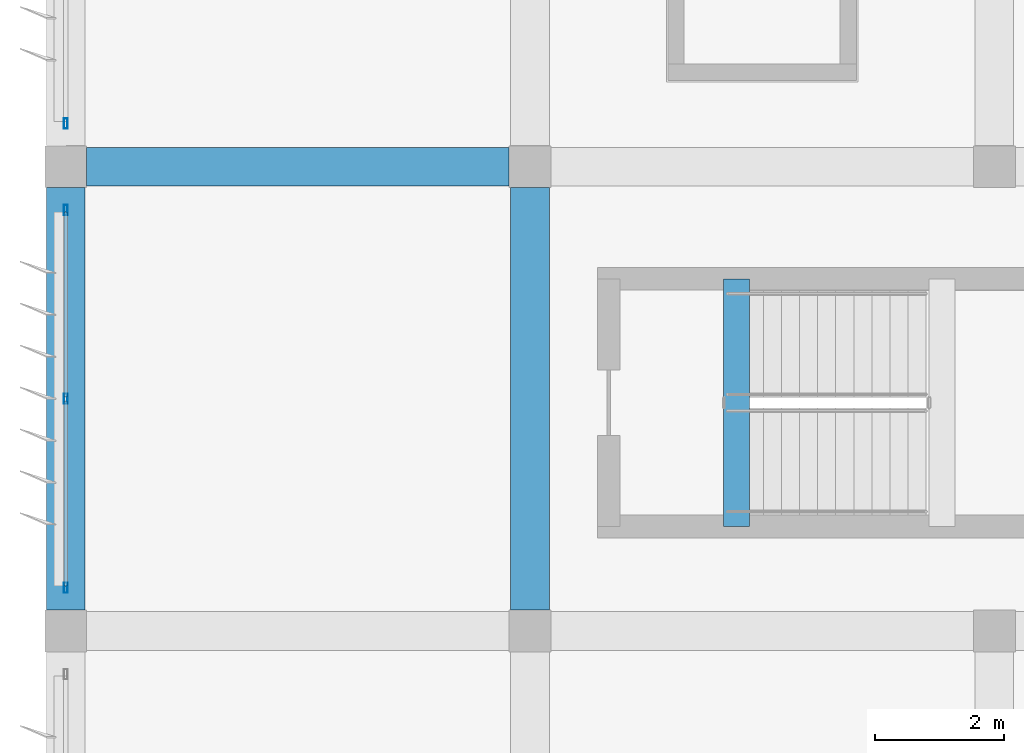
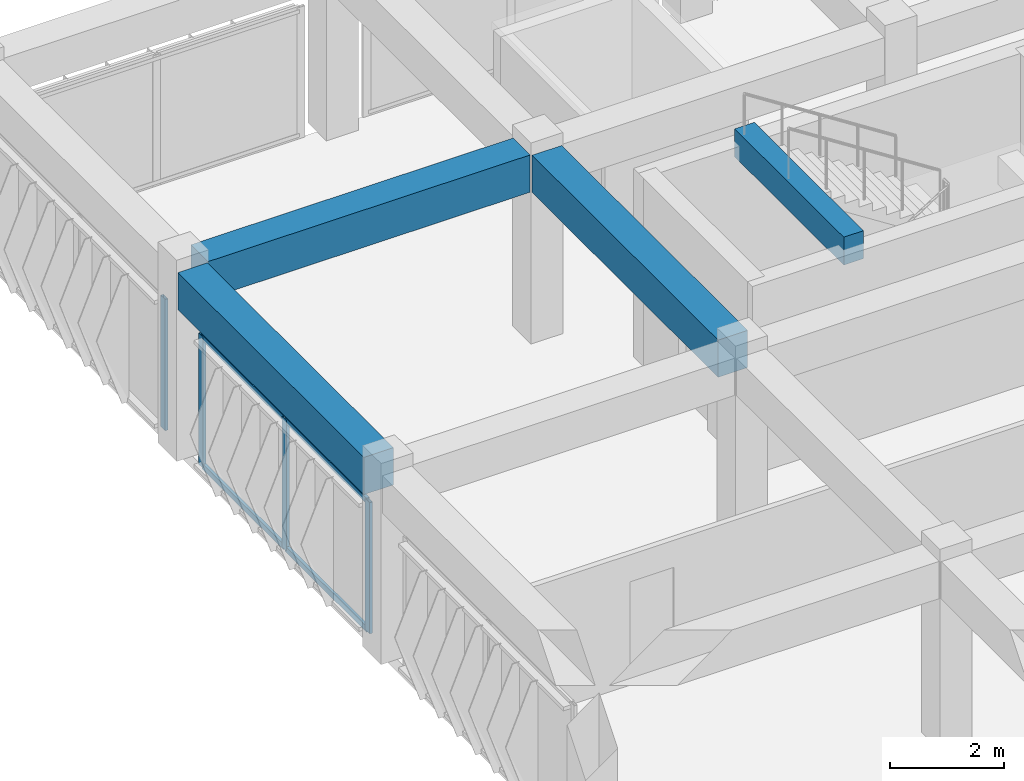
# One storey, part 10 of 53: 8 members, 4 beams, 2 elements without a shape of their own.
"""IFC4 building model written with IfcOpenShell, lengths in metres."""

from ifc_helpers import new_model, si_unit, direction, frame, origin, origin_2d, place, context, subcontext, project, spatial, rectangle, hollow_rectangle, extrude, material, material_profile, profile_set, type_object, element, aggregate, save


model = new_model("IFC4")

# Units and contexts
model_context = context("Model", 3, precision=1e-05, world=origin(), true_north=direction((0.0, 1.0)))
body_context = subcontext(model_context, "Body", "Model", "MODEL_VIEW")
ifc_project = project(units=[si_unit("LENGTHUNIT", "METRE"), si_unit("AREAUNIT", "SQUARE_METRE"), si_unit("VOLUMEUNIT", "CUBIC_METRE"), si_unit("PLANEANGLEUNIT", "RADIAN"), si_unit("MASSUNIT", "GRAM", prefix="KILO")], contexts=[model_context])

# Site, building, storey
site_placement = place(None, origin())
site = spatial("IfcSite", under=ifc_project, at=site_placement, CompositionType="ELEMENT")
building_placement = place(site_placement, origin())
building = spatial("IfcBuilding", under=site, at=building_placement, Name="Kazehaya Institute of Natural Sciences", CompositionType="ELEMENT")
storey_placement = place(building_placement, frame((0.0, 0.0, 33.300048828125)))
storey = spatial("IfcBuildingStorey", under=building, at=storey_placement, Name="L07", CompositionType="ELEMENT", Elevation=33.300048828125)

# Beams
ifc_material_1 = material(Name="Concrete Fc36", Category="concrete")
ifc_material_profile_1 = material_profile(ifc_material_1, rectangle(XDim=0.39990234375, YDim=0.60009765625, at=origin_2d()), Name="RC-400x600")
ifc_profile_set_1 = profile_set([ifc_material_profile_1], Name="Concrete Fc36")
beam_type_1 = type_object("IfcBeamType", Name="BM-B-400x600", PredefinedType="BEAM", material=ifc_profile_set_1)
beam_placement = place(storey_placement, frame((65.0, 22.820068359375, 4.02001953125), z_axis=(0.0, 1.0, 0.0), x_axis=(-1.0, 0.0, 0.0)))
element("IfcBeam", 1, at=beam_placement, inside=storey, type_object=beam_type_1, Name="L08 ST-1 stair header trimmer beam", PredefinedType="BEAM", context=body_context, shape_type="SweptSolid", body=[
    extrude(rectangle(XDim=0.39990234375, YDim=0.60009765625, at=origin_2d()), origin(), (0.0, 0.0, 1.0), 3.83984375),
])
ifc_material_profile_2 = material_profile(ifc_material_1, rectangle(XDim=0.60009765625, YDim=0.800048828125, at=origin_2d()), Name="RC-600x800")
ifc_profile_set_2 = profile_set([ifc_material_profile_2], Name="Concrete Fc36")
beam_type_2 = type_object("IfcBeamType", Name="BM-G-600x800", PredefinedType="BEAM", material=ifc_profile_set_2)
for number, where, z_axis, x_axis, name in (
    (2, (54.925048828125, 28.39990234375, 3.64990234375), (1.0, 0.0, 0.0), (0.0, 1.0, 0.0), "L07 primary X girder BMX-L07-546-284"),
    (3, (54.60009765625, 21.52490234375, 3.64990234375), (0.0, 1.0, 0.0), (-1.0, 0.0, 0.0), "L07 primary Y girder BMY-L07-546-212"),
    (4, (61.800048828125, 21.52490234375, 3.64990234375), (0.0, 1.0, 0.0), (-1.0, 0.0, 0.0), "L07 primary Y girder BMY-L07-618-212"),
):
    element("IfcBeam", number, at=place(storey_placement, frame(where, z_axis=z_axis, x_axis=x_axis)), inside=storey, type_object=beam_type_2, Name=name, PredefinedType="BEAM", context=body_context, shape_type="SweptSolid", body=[
        extrude(rectangle(XDim=0.60009765625, YDim=0.800048828125, at=origin_2d()), origin(), (0.0, 0.0, 1.0), 6.550048828125),
    ])

# Curtain wall, members
ifc_material_2 = material(Name="Aluminium alloy A6063S-T5", Category="aluminium")
curtain_wall_type = type_object("IfcCurtainWallType", Name="CW-SYS-10", PredefinedType="NOTDEFINED", material=ifc_material_2)
curtain_wall_1_placement = place(storey_placement, origin())
curtain_wall_1 = element("IfcCurtainWall", 5, at=curtain_wall_1_placement, inside=storey, type_object=curtain_wall_type, Name="L07 unitised curtain wall CW-L07-172", PredefinedType="NOTDEFINED")
ifc_material_profile_3 = material_profile(ifc_material_2, hollow_rectangle(XDim=0.06005859375, YDim=0.159912109375, WallThickness=0.00390625, at=origin_2d()), Name="ALU-60x160x4")
ifc_profile_set_3 = profile_set([ifc_material_profile_3], Name="Aluminium alloy A6063S-T5")
member_type_1 = type_object("IfcMemberType", Name="CWM-160", PredefinedType="MULLION", material=ifc_profile_set_3)
member_1_placement = place(storey_placement, frame((54.60009765625, 21.8701171875, 0.0), z_axis=(0.0, 0.0, 1.0), x_axis=(-1.0, 0.0, 0.0)))
member_1 = element("IfcMember", 6, at=member_1_placement, type_object=member_type_1, Name="CW10 mullion 1", PredefinedType="MULLION", context=body_context, shape_type="SweptSolid", body=[
    extrude(hollow_rectangle(XDim=0.06005859375, YDim=0.159912109375, WallThickness=0.00390625, at=origin_2d()), origin(), (0.0, 0.0, 1.0), 2.820068359375),
])
member_2_placement = place(storey_placement, frame((54.60009765625, 24.800048828125, 0.0), z_axis=(0.0, 0.0, 1.0), x_axis=(-1.0, 0.0, 0.0)))
member_2 = element("IfcMember", 7, at=member_2_placement, type_object=member_type_1, Name="CW10 mullion 2", PredefinedType="MULLION", context=body_context, shape_type="SweptSolid", body=[
    extrude(hollow_rectangle(XDim=0.06005859375, YDim=0.159912109375, WallThickness=0.00390625, at=origin_2d()), origin(), (0.0, 0.0, 1.0), 2.820068359375),
])
member_3_placement = place(storey_placement, frame((54.60009765625, 27.72998046875, 0.0), z_axis=(0.0, 0.0, 1.0), x_axis=(-1.0, 0.0, 0.0)))
member_3 = element("IfcMember", 8, at=member_3_placement, type_object=member_type_1, Name="CW10 mullion 3", PredefinedType="MULLION", context=body_context, shape_type="SweptSolid", body=[
    extrude(hollow_rectangle(XDim=0.06005859375, YDim=0.159912109375, WallThickness=0.00390625, at=origin_2d()), origin(), (0.0, 0.0, 1.0), 2.820068359375),
])

# Curtain wall, member
curtain_wall_2_placement = place(storey_placement, origin())
curtain_wall_2 = element("IfcCurtainWall", 9, at=curtain_wall_2_placement, inside=storey, type_object=curtain_wall_type, Name="L07 unitised curtain wall CW-L07-174", PredefinedType="NOTDEFINED")
member_4_placement = place(storey_placement, frame((54.60009765625, 29.070068359375, 0.0), z_axis=(0.0, 0.0, 1.0), x_axis=(-1.0, 0.0, 0.0)))
member_4 = element("IfcMember", 10, at=member_4_placement, type_object=member_type_1, Name="CW10 mullion 1", PredefinedType="MULLION", context=body_context, shape_type="SweptSolid", body=[
    extrude(hollow_rectangle(XDim=0.06005859375, YDim=0.159912109375, WallThickness=0.00390625, at=origin_2d()), origin(), (0.0, 0.0, 1.0), 2.820068359375),
])
aggregate(curtain_wall_2, [member_4])

# Member
ifc_material_profile_4 = material_profile(ifc_material_2, hollow_rectangle(XDim=0.06005859375, YDim=0.1201171875, WallThickness=0.00341796875, at=origin_2d()), Name="ALU-60x120x3.5")
ifc_profile_set_4 = profile_set([ifc_material_profile_4], Name="Aluminium alloy A6063S-T5")
member_type_2 = type_object("IfcMemberType", Name="CWT-120", PredefinedType="USERDEFINED", material=ifc_profile_set_4)
member_5_placement = place(storey_placement, frame((54.60009765625, 21.89990234375, 0.030029296875), z_axis=(0.0, 1.0, 0.0), x_axis=(-1.0, 0.0, 0.0)))
member_5 = element("IfcMember", 11, at=member_5_placement, type_object=member_type_2, Name="CW10 transom 1.1", ObjectType="TRANSOM", PredefinedType="USERDEFINED", context=body_context, shape_type="SweptSolid", body=[
    extrude(hollow_rectangle(XDim=0.06005859375, YDim=0.1201171875, WallThickness=0.00341796875, at=origin_2d()), origin(), (0.0, 0.0, 1.0), 2.8701171875),
])

member_6_placement = place(storey_placement, frame((54.60009765625, 21.89990234375, 2.7900390625), z_axis=(0.0, 1.0, 0.0), x_axis=(-1.0, 0.0, 0.0)))
member_6 = element("IfcMember", 12, at=member_6_placement, type_object=member_type_2, Name="CW10 transom 1.2", ObjectType="TRANSOM", PredefinedType="USERDEFINED", context=body_context, shape_type="SweptSolid", body=[
    extrude(hollow_rectangle(XDim=0.06005859375, YDim=0.1201171875, WallThickness=0.00341796875, at=origin_2d()), origin(), (0.0, 0.0, 1.0), 2.8701171875),
])

member_7_placement = place(storey_placement, frame((54.60009765625, 24.830078125, 0.030029296875), z_axis=(0.0, 1.0, 0.0), x_axis=(-1.0, 0.0, 0.0)))
member_7 = element("IfcMember", 13, at=member_7_placement, type_object=member_type_2, Name="CW10 transom 2.1", ObjectType="TRANSOM", PredefinedType="USERDEFINED", context=body_context, shape_type="SweptSolid", body=[
    extrude(hollow_rectangle(XDim=0.06005859375, YDim=0.1201171875, WallThickness=0.00341796875, at=origin_2d()), origin(), (0.0, 0.0, 1.0), 2.869873046875),
])

member_8_placement = place(storey_placement, frame((54.60009765625, 24.830078125, 2.7900390625), z_axis=(0.0, 1.0, 0.0), x_axis=(-1.0, 0.0, 0.0)))
member_8 = element("IfcMember", 14, at=member_8_placement, type_object=member_type_2, Name="CW10 transom 2.2", ObjectType="TRANSOM", PredefinedType="USERDEFINED", context=body_context, shape_type="SweptSolid", body=[
    extrude(hollow_rectangle(XDim=0.06005859375, YDim=0.1201171875, WallThickness=0.00341796875, at=origin_2d()), origin(), (0.0, 0.0, 1.0), 2.869873046875),
])

aggregate(curtain_wall_1, [member_1, member_2, member_3, member_5, member_6, member_7, member_8])

save(model, "model.ifc")
